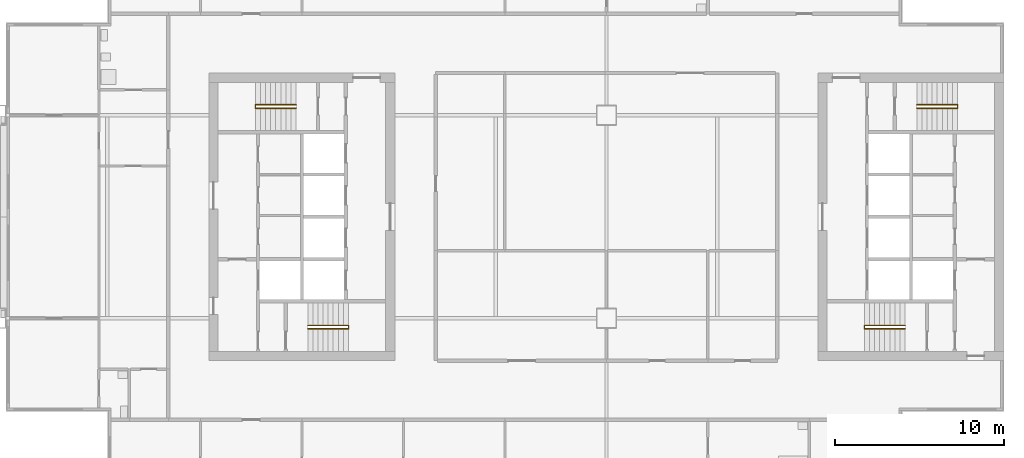
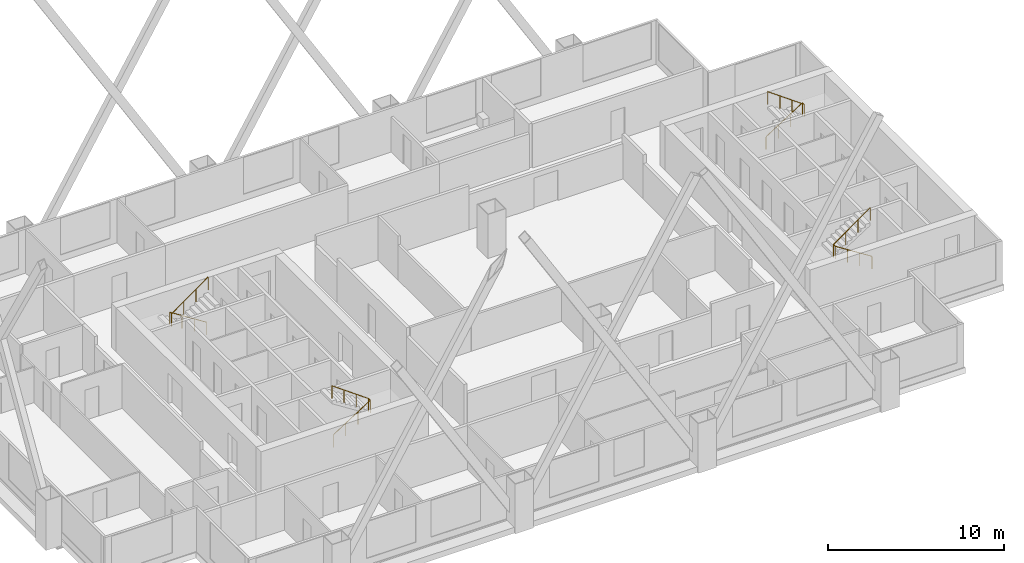
# One storey, part 8 of 9: 4 railings.
"""IFC4 building model written with IfcOpenShell, lengths in metres."""

from ifc_helpers import new_model, si_unit, direction, frame, origin, origin_2d, place, context, subcontext, project, spatial, circle, extrude, material, type_object, element, save


model = new_model("IFC4")

# Units and contexts
model_context = context("Model", 3, precision=1e-05, world=origin(), true_north=direction((0.0, 1.0)))
body_context = subcontext(model_context, "Body", "Model", "MODEL_VIEW")
ifc_project = project(units=[si_unit("LENGTHUNIT", "METRE"), si_unit("AREAUNIT", "SQUARE_METRE"), si_unit("VOLUMEUNIT", "CUBIC_METRE"), si_unit("PLANEANGLEUNIT", "RADIAN"), si_unit("MASSUNIT", "GRAM", prefix="KILO")], contexts=[model_context])

# Site, building, storey
site_placement = place(None, origin())
site = spatial("IfcSite", under=ifc_project, at=site_placement, CompositionType="ELEMENT")
building_placement = place(site_placement, origin())
building = spatial("IfcBuilding", under=site, at=building_placement, Name="Kitamizu Gate Tower and Museum", CompositionType="ELEMENT")
storey_placement = place(building_placement, frame((0.0, 0.0, 192.75)))
storey = spatial("IfcBuildingStorey", under=building, at=storey_placement, Name="L51", CompositionType="ELEMENT", Elevation=192.75)

# Railings
ifc_material = material(Name="Stainless steel SUS304", Category="steel")
railing_type = type_object("IfcRailingType", Name="Stair handrail 900", PredefinedType="HANDRAIL", material=ifc_material)
railing_1_placement = place(storey_placement, frame((18.35009765625, 23.375, 0.191650390625)))
element("IfcRailing", 1, at=railing_1_placement, inside=storey, type_object=railing_type, Name="Stair handrail ST1", PredefinedType="HANDRAIL", context=body_context, shape_type="SweptSolid", body=[
    extrude(circle(Radius=0.02392578125, at=origin_2d()), frame((0.0, 0.0, 0.8759765625), z_axis=(0.842668169335, 0.0, 0.538433242278), x_axis=(0.0, 1.0, 0.0)), (0.0, 0.0, 1.0), 2.847900390625),
    extrude(circle(Radius=0.02392578125, at=origin_2d()), frame((2.39990234375, 0.0, 2.4091796875), z_axis=(0.0, 1.0, 0.0), x_axis=(-1.0, 0.0, 0.0)), (0.0, 0.0, 1.0), 0.199951171875),
    extrude(circle(Radius=0.02392578125, at=origin_2d()), frame((2.39990234375, 0.199951171875, 2.4091796875), z_axis=(-0.81202760531, 0.0, 0.583619026604), x_axis=(0.0, -1.0, 0.0)), (0.0, 0.0, 1.0), 2.955322265625),
    extrude(circle(Radius=0.02099609375, at=origin_2d()), origin(), (0.0, 0.0, 1.0), 0.851806640625),
    extrude(circle(Radius=0.02099609375, at=origin_2d()), frame((0.800048828125, 0.0, 0.51123046875)), (0.0, 0.0, 1.0), 0.851806640625),
    extrude(circle(Radius=0.02099609375, at=origin_2d()), frame((1.599853515625, 0.0, 1.022216796875)), (0.0, 0.0, 1.0), 0.851806640625),
    extrude(circle(Radius=0.02099609375, at=origin_2d()), frame((2.39990234375, 0.0, 1.533447265625)), (0.0, 0.0, 1.0), 0.851806640625),
    extrude(circle(Radius=0.02099609375, at=origin_2d()), frame((2.39990234375, 0.199951171875, 1.533447265625)), (0.0, 0.0, 1.0), 0.851806640625),
    extrude(circle(Radius=0.02099609375, at=origin_2d()), frame((1.599853515625, 0.199951171875, 2.1083984375)), (0.0, 0.0, 1.0), 0.851806640625),
    extrude(circle(Radius=0.02099609375, at=origin_2d()), frame((0.800048828125, 0.199951171875, 2.683349609375)), (0.0, 0.0, 1.0), 0.851806640625),
    extrude(circle(Radius=0.02099609375, at=origin_2d()), frame((0.0, 0.199951171875, 3.25830078125)), (0.0, 0.0, 1.0), 0.851806640625),
])
railing_2_placement = place(storey_placement, frame((17.64990234375, 36.625, 0.191650390625)))
element("IfcRailing", 2, at=railing_2_placement, inside=storey, type_object=railing_type, Name="Stair handrail ST2", PredefinedType="HANDRAIL", context=body_context, shape_type="SweptSolid", body=[
    extrude(circle(Radius=0.02392578125, at=origin_2d()), frame((0.0, 0.0, 0.8759765625), z_axis=(-0.842668169335, 0.0, 0.538433242278), x_axis=(0.0, -1.0, 0.0)), (0.0, 0.0, 1.0), 2.847900390625),
    extrude(circle(Radius=0.02392578125, at=origin_2d()), frame((-2.39990234375, 0.0, 2.4091796875), z_axis=(0.0, -1.0, 0.0), x_axis=(1.0, 0.0, 0.0)), (0.0, 0.0, 1.0), 0.199951171875),
    extrude(circle(Radius=0.02392578125, at=origin_2d()), frame((-2.39990234375, -0.199951171875, 2.4091796875), z_axis=(0.81202760531, 0.0, 0.583619026604), x_axis=(0.0, 1.0, 0.0)), (0.0, 0.0, 1.0), 2.955322265625),
    extrude(circle(Radius=0.02099609375, at=origin_2d()), origin(), (0.0, 0.0, 1.0), 0.851806640625),
    extrude(circle(Radius=0.02099609375, at=origin_2d()), frame((-0.800048828125, 0.0, 0.51123046875)), (0.0, 0.0, 1.0), 0.851806640625),
    extrude(circle(Radius=0.02099609375, at=origin_2d()), frame((-1.599853515625, 0.0, 1.022216796875)), (0.0, 0.0, 1.0), 0.851806640625),
    extrude(circle(Radius=0.02099609375, at=origin_2d()), frame((-2.39990234375, 0.0, 1.533447265625)), (0.0, 0.0, 1.0), 0.851806640625),
    extrude(circle(Radius=0.02099609375, at=origin_2d()), frame((-2.39990234375, -0.199951171875, 1.533447265625)), (0.0, 0.0, 1.0), 0.851806640625),
    extrude(circle(Radius=0.02099609375, at=origin_2d()), frame((-1.599853515625, -0.199951171875, 2.1083984375)), (0.0, 0.0, 1.0), 0.851806640625),
    extrude(circle(Radius=0.02099609375, at=origin_2d()), frame((-0.800048828125, -0.199951171875, 2.683349609375)), (0.0, 0.0, 1.0), 0.851806640625),
    extrude(circle(Radius=0.02099609375, at=origin_2d()), frame((0.0, -0.199951171875, 3.25830078125)), (0.0, 0.0, 1.0), 0.851806640625),
])
railing_3_placement = place(storey_placement, frame((53.64990234375, 23.375, 0.191650390625)))
element("IfcRailing", 3, at=railing_3_placement, inside=storey, type_object=railing_type, Name="Stair handrail ST3", PredefinedType="HANDRAIL", context=body_context, shape_type="SweptSolid", body=[
    extrude(circle(Radius=0.02392578125, at=origin_2d()), frame((0.0, 0.0, 0.8759765625), z_axis=(-0.842668169335, 0.0, 0.538433242278), x_axis=(0.0, -1.0, 0.0)), (0.0, 0.0, 1.0), 2.847900390625),
    extrude(circle(Radius=0.02392578125, at=origin_2d()), frame((-2.39990234375, 0.0, 2.4091796875), z_axis=(0.0, 1.0, 0.0), x_axis=(-1.0, 0.0, 0.0)), (0.0, 0.0, 1.0), 0.199951171875),
    extrude(circle(Radius=0.02392578125, at=origin_2d()), frame((-2.39990234375, 0.199951171875, 2.4091796875), z_axis=(0.81202760531, 0.0, 0.583619026604), x_axis=(0.0, 1.0, 0.0)), (0.0, 0.0, 1.0), 2.955322265625),
    extrude(circle(Radius=0.02099609375, at=origin_2d()), origin(), (0.0, 0.0, 1.0), 0.851806640625),
    extrude(circle(Radius=0.02099609375, at=origin_2d()), frame((-0.800048828125, 0.0, 0.51123046875)), (0.0, 0.0, 1.0), 0.851806640625),
    extrude(circle(Radius=0.02099609375, at=origin_2d()), frame((-1.599853515625, 0.0, 1.022216796875)), (0.0, 0.0, 1.0), 0.851806640625),
    extrude(circle(Radius=0.02099609375, at=origin_2d()), frame((-2.39990234375, 0.0, 1.533447265625)), (0.0, 0.0, 1.0), 0.851806640625),
    extrude(circle(Radius=0.02099609375, at=origin_2d()), frame((-2.39990234375, 0.199951171875, 1.533447265625)), (0.0, 0.0, 1.0), 0.851806640625),
    extrude(circle(Radius=0.02099609375, at=origin_2d()), frame((-1.599853515625, 0.199951171875, 2.1083984375)), (0.0, 0.0, 1.0), 0.851806640625),
    extrude(circle(Radius=0.02099609375, at=origin_2d()), frame((-0.800048828125, 0.199951171875, 2.683349609375)), (0.0, 0.0, 1.0), 0.851806640625),
    extrude(circle(Radius=0.02099609375, at=origin_2d()), frame((0.0, 0.199951171875, 3.25830078125)), (0.0, 0.0, 1.0), 0.851806640625),
])
railing_4_placement = place(storey_placement, frame((54.35009765625, 36.625, 0.191650390625)))
element("IfcRailing", 4, at=railing_4_placement, inside=storey, type_object=railing_type, Name="Stair handrail ST4", PredefinedType="HANDRAIL", context=body_context, shape_type="SweptSolid", body=[
    extrude(circle(Radius=0.02392578125, at=origin_2d()), frame((0.0, 0.0, 0.8759765625), z_axis=(0.842668169335, 0.0, 0.538433242278), x_axis=(0.0, 1.0, 0.0)), (0.0, 0.0, 1.0), 2.847900390625),
    extrude(circle(Radius=0.02392578125, at=origin_2d()), frame((2.39990234375, 0.0, 2.4091796875), z_axis=(0.0, -1.0, 0.0), x_axis=(1.0, 0.0, 0.0)), (0.0, 0.0, 1.0), 0.199951171875),
    extrude(circle(Radius=0.02392578125, at=origin_2d()), frame((2.39990234375, -0.199951171875, 2.4091796875), z_axis=(-0.81202760531, 0.0, 0.583619026604), x_axis=(0.0, -1.0, 0.0)), (0.0, 0.0, 1.0), 2.955322265625),
    extrude(circle(Radius=0.02099609375, at=origin_2d()), origin(), (0.0, 0.0, 1.0), 0.851806640625),
    extrude(circle(Radius=0.02099609375, at=origin_2d()), frame((0.800048828125, 0.0, 0.51123046875)), (0.0, 0.0, 1.0), 0.851806640625),
    extrude(circle(Radius=0.02099609375, at=origin_2d()), frame((1.599853515625, 0.0, 1.022216796875)), (0.0, 0.0, 1.0), 0.851806640625),
    extrude(circle(Radius=0.02099609375, at=origin_2d()), frame((2.39990234375, 0.0, 1.533447265625)), (0.0, 0.0, 1.0), 0.851806640625),
    extrude(circle(Radius=0.02099609375, at=origin_2d()), frame((2.39990234375, -0.199951171875, 1.533447265625)), (0.0, 0.0, 1.0), 0.851806640625),
    extrude(circle(Radius=0.02099609375, at=origin_2d()), frame((1.599853515625, -0.199951171875, 2.1083984375)), (0.0, 0.0, 1.0), 0.851806640625),
    extrude(circle(Radius=0.02099609375, at=origin_2d()), frame((0.800048828125, -0.199951171875, 2.683349609375)), (0.0, 0.0, 1.0), 0.851806640625),
    extrude(circle(Radius=0.02099609375, at=origin_2d()), frame((0.0, -0.199951171875, 3.25830078125)), (0.0, 0.0, 1.0), 0.851806640625),
])

save(model, "model.ifc")
